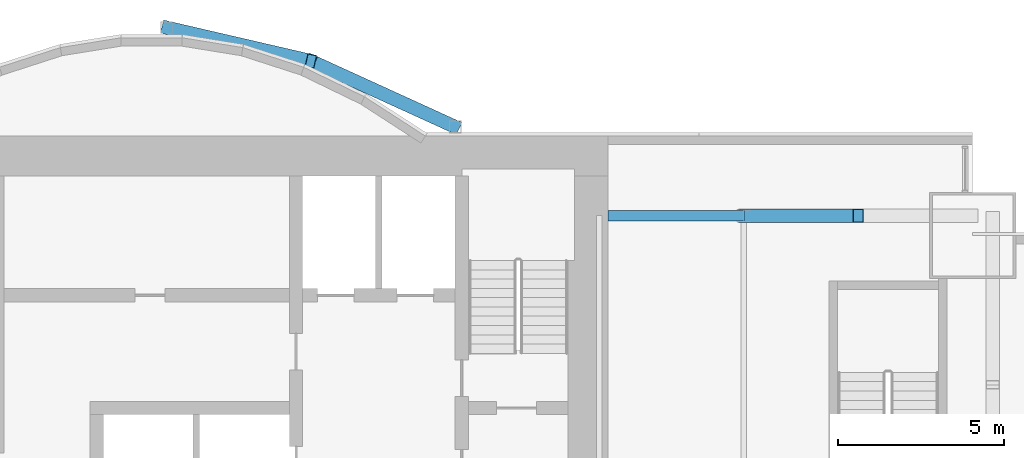
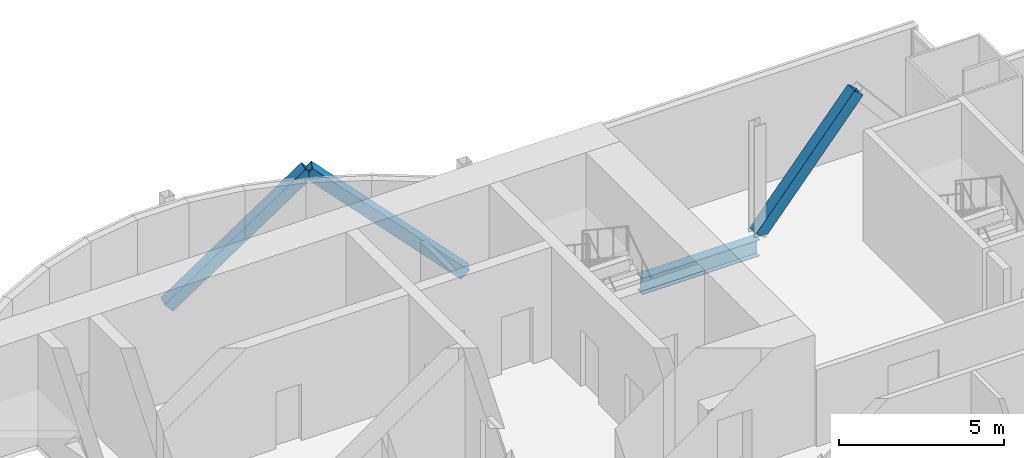
# One storey, part 11 of 20: 3 members, 1 beam.
"""IFC4 building model written with IfcOpenShell, lengths in metres."""

from ifc_helpers import new_model, si_unit, direction, frame, origin, origin_2d, place, context, subcontext, project, spatial, hollow_rectangle, i_section, extrude, material, material_profile, profile_set, type_object, element, save


model = new_model("IFC4")

# Units and contexts
model_context = context("Model", 3, precision=1e-05, world=origin(), true_north=direction((0.0, 1.0)))
body_context = subcontext(model_context, "Body", "Model", "MODEL_VIEW")
ifc_project = project(units=[si_unit("LENGTHUNIT", "METRE"), si_unit("AREAUNIT", "SQUARE_METRE"), si_unit("VOLUMEUNIT", "CUBIC_METRE"), si_unit("PLANEANGLEUNIT", "RADIAN"), si_unit("MASSUNIT", "GRAM", prefix="KILO")], contexts=[model_context])

# Site, building, storey
site_placement = place(None, origin())
site = spatial("IfcSite", under=ifc_project, at=site_placement, CompositionType="ELEMENT")
building_placement = place(site_placement, origin())
building = spatial("IfcBuilding", under=site, at=building_placement, Name="Bicima Exchange Tower", CompositionType="ELEMENT")
storey_placement = place(building_placement, frame((0.0, 0.0, 177.300048828125)))
storey = spatial("IfcBuildingStorey", under=building, at=storey_placement, Name="L39", CompositionType="ELEMENT", Elevation=177.300048828125)

# Members
ifc_material_1 = material(Name="Steel ASTM A572 Gr 50", Category="steel")
ifc_material_profile_1 = material_profile(ifc_material_1, hollow_rectangle(XDim=0.406494140625, YDim=0.406494140625, WallThickness=0.017822265625, at=origin_2d()))
ifc_profile_set_1 = profile_set([ifc_material_profile_1], Name="Steel ASTM A572 Gr 50")
member_type = type_object("IfcMemberType", Name="Mega brace HSS16x16x3/4", PredefinedType="BRACE", material=ifc_profile_set_1)
member_1_placement = place(storey_placement, frame((8.699951171875, 3.26904296875, 0.0), z_axis=(0.717625168184, -0.166055032463, 0.676342993002), x_axis=(0.225438503722, 0.974257399787, 0.0)))
element("IfcMember", 1, at=member_1_placement, inside=storey, type_object=member_type, Name="Mega brace rexo", PredefinedType="BRACE", context=body_context, shape_type="SweptSolid", body=[
    extrude(hollow_rectangle(XDim=0.406494140625, YDim=0.406494140625, WallThickness=0.017822265625, at=origin_2d()), origin(), (0.0, 0.0, 1.0), 6.061767578125),
])
member_2_placement = place(storey_placement, frame((17.39990234375, 0.278076171875, 0.0), z_axis=(-0.690646390594, 0.3150684101, 0.650952732629), x_axis=(-0.415045223819, -0.909800781592, 0.0)))
element("IfcMember", 2, at=member_2_placement, inside=storey, type_object=member_type, Name="Mega brace rexo", PredefinedType="BRACE", context=body_context, shape_type="SweptSolid", body=[
    extrude(hollow_rectangle(XDim=0.406494140625, YDim=0.406494140625, WallThickness=0.017822265625, at=origin_2d()), origin(), (0.0, 0.0, 1.0), 6.29833984375),
])
member_3_placement = place(storey_placement, frame((26.10009765625, -2.39990234375, 0.0), z_axis=(0.643856488545, 0.0, 0.765146275008), x_axis=(0.0, 1.0, 0.0)))
element("IfcMember", 3, at=member_3_placement, inside=storey, type_object=member_type, Name="Mega brace rear", PredefinedType="BRACE", context=body_context, shape_type="SweptSolid", body=[
    extrude(hollow_rectangle(XDim=0.406494140625, YDim=0.406494140625, WallThickness=0.017822265625, at=origin_2d()), origin(), (0.0, 0.0, 1.0), 5.358154296875),
])

# Beam
ifc_material_2 = material(Name="Steel ASTM A992 Gr 50", Category="steel")
ifc_material_profile_2 = material_profile(ifc_material_2, i_section(OverallWidth=0.3251953125, OverallDepth=0.612060546875, WebThickness=0.0126953125, FlangeThickness=0.01904296875, at=origin_2d()))
ifc_profile_set_2 = profile_set([ifc_material_profile_2], Name="Steel ASTM A992 Gr 50")
beam_type = type_object("IfcBeamType", Name="Rear girder W24x104", PredefinedType="BEAM", material=ifc_profile_set_2)
beam_placement = place(storey_placement, frame((22.0, -2.39990234375, -0.4560546875), z_axis=(1.0, 0.0, 0.0), x_axis=(0.0, 1.0, 0.0)))
element("IfcBeam", 4, at=beam_placement, inside=storey, type_object=beam_type, Name="Rear girder", PredefinedType="BEAM", context=body_context, shape_type="SweptSolid", body=[
    extrude(i_section(OverallWidth=0.3251953125, OverallDepth=0.612060546875, WebThickness=0.0126953125, FlangeThickness=0.01904296875, at=origin_2d()), origin(), (0.0, 0.0, 1.0), 4.10009765625),
])

save(model, "model.ifc")
